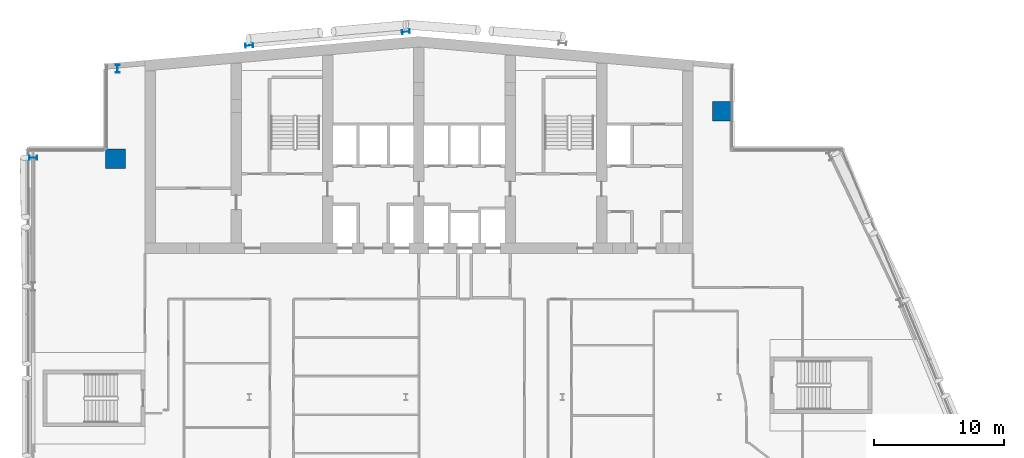
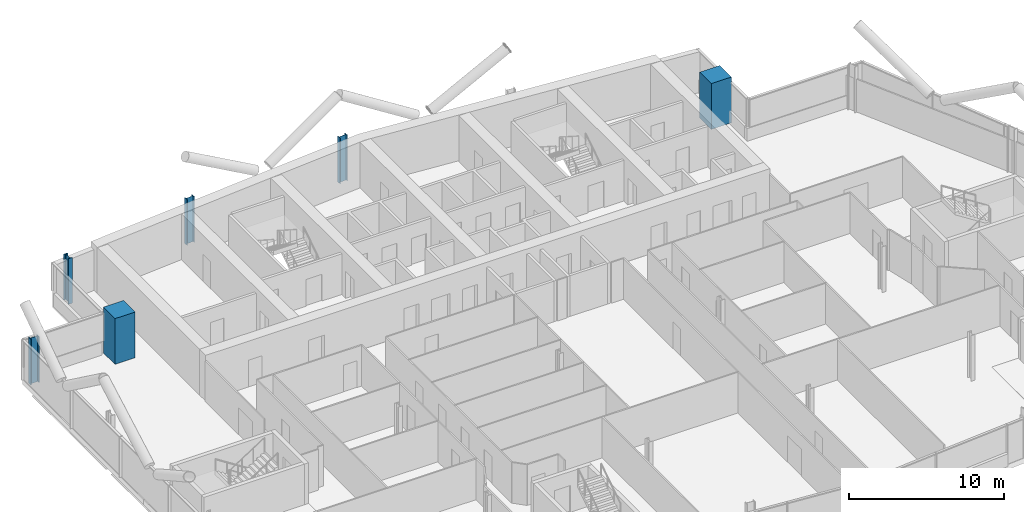
# One storey, part 3 of 26: 6 columns.
"""IFC4 building model written with IfcOpenShell, lengths in metres."""

from ifc_helpers import new_model, si_unit, direction, frame, origin, origin_2d, place, context, subcontext, project, spatial, rectangle, i_section, extrude, material, material_profile, profile_set, type_object, element, save


model = new_model("IFC4")

# Units and contexts
model_context = context("Model", 3, precision=1e-05, world=origin(), true_north=direction((0.0, 1.0)))
body_context = subcontext(model_context, "Body", "Model", "MODEL_VIEW")
ifc_project = project(units=[si_unit("LENGTHUNIT", "METRE"), si_unit("AREAUNIT", "SQUARE_METRE"), si_unit("VOLUMEUNIT", "CUBIC_METRE"), si_unit("PLANEANGLEUNIT", "RADIAN"), si_unit("MASSUNIT", "GRAM", prefix="KILO")], contexts=[model_context])

# Site, building, storey
site_placement = place(None, origin())
site = spatial("IfcSite", under=ifc_project, at=site_placement, CompositionType="ELEMENT")
building_placement = place(site_placement, origin())
building = spatial("IfcBuilding", under=site, at=building_placement, Name="Wharfspan Tower", CompositionType="ELEMENT")
storey_placement = place(building_placement, frame((0.0, 0.0, 166.300049)))
storey = spatial("IfcBuildingStorey", under=building, at=storey_placement, Name="L40", CompositionType="ELEMENT", Elevation=166.300049)

# Columns
ifc_material_1 = material(Name="Steel S355J2", Category="steel")
ifc_material_profile_1 = material_profile(ifc_material_1, i_section(OverallWidth=0.300049, OverallDepth=0.600098, WebThickness=0.015381, FlangeThickness=0.030029, FilletRadius=0.0271, at=origin_2d()))
ifc_profile_set_1 = profile_set([ifc_material_profile_1], Name="Steel S355J2")
column_type_1 = type_object("IfcColumnType", Name="Column HEB 600", PredefinedType="COLUMN", material=ifc_profile_set_1)
for number, where, z_axis, x_axis, name in (
    (1, (24.0, 49.937256, 0.0), (0.0, 0.0, 1.0), (-0.087156, 0.996198, 0.0), "Rear column R.1 L40"),
    (2, (36.0, 50.987061, 0.0), (0.0, 0.0, 1.0), (-0.087156, 0.996198, 0.0), "Rear column R.2 L40"),
):
    element("IfcColumn", number, at=place(storey_placement, frame(where, z_axis=z_axis, x_axis=x_axis)), inside=storey, type_object=column_type_1, Name=name, PredefinedType="COLUMN", context=body_context, shape_type="SweptSolid", body=[
        extrude(i_section(OverallWidth=0.300049, OverallDepth=0.600098, WebThickness=0.015381, FlangeThickness=0.030029, FilletRadius=0.0271, at=origin_2d()), origin(), (0.0, 0.0, 1.0), 3.599854),
    ])
ifc_material_profile_2 = material_profile(ifc_material_1, i_section(OverallWidth=0.304932, OverallDepth=0.620117, WebThickness=0.020996, FlangeThickness=0.040039, FilletRadius=0.0271, at=origin_2d()))
ifc_profile_set_2 = profile_set([ifc_material_profile_2], Name="Steel S355J2")
column_type_2 = type_object("IfcColumnType", Name="Column HEM 600", PredefinedType="COLUMN", material=ifc_profile_set_2)
for number, where, z_axis, x_axis, name in (
    (3, (13.911133, 48.141113, 0.0), (0.0, 0.0, 1.0), (-1.0, 0.0, 0.0), "Perimeter column PNRW-V.1 L40"),
    (4, (7.450439, 41.333008, 0.0), (0.0, 0.0, 1.0), (0.0, 1.0, 0.0), "Perimeter column PNRW-H.1 L40"),
):
    element("IfcColumn", number, at=place(storey_placement, frame(where, z_axis=z_axis, x_axis=x_axis)), inside=storey, type_object=column_type_2, Name=name, PredefinedType="COLUMN", context=body_context, shape_type="SweptSolid", body=[
        extrude(i_section(OverallWidth=0.304932, OverallDepth=0.620117, WebThickness=0.020996, FlangeThickness=0.040039, FilletRadius=0.0271, at=origin_2d()), origin(), (0.0, 0.0, 1.0), 3.599854),
    ])
ifc_material_2 = material(Name="Concrete C60/75", Category="concrete")
ifc_material_profile_3 = material_profile(ifc_material_2, rectangle(XDim=1.5, YDim=1.5, at=origin_2d()))
ifc_profile_set_3 = profile_set([ifc_material_profile_3], Name="Concrete C60/75")
column_type_3 = type_object("IfcColumnType", Name="Mega column 1500 C60/75", PredefinedType="COLUMN", material=ifc_profile_set_3)
for number, where, z_axis, x_axis, name in (
    (5, (13.75, 41.25, 0.0), (0.0, 0.0, 1.0), (1.0, 0.0, 0.0), "Mega column MC2 L40"),
    (6, (60.25, 44.899902, 0.0), (0.0, 0.0, 1.0), (1.0, 0.0, 0.0), "Mega column MC3 L40"),
):
    element("IfcColumn", number, at=place(storey_placement, frame(where, z_axis=z_axis, x_axis=x_axis)), inside=storey, type_object=column_type_3, Name=name, PredefinedType="COLUMN", context=body_context, shape_type="SweptSolid", body=[
        extrude(rectangle(XDim=1.5, YDim=1.5, at=origin_2d()), origin(), (0.0, 0.0, 1.0), 3.599854),
    ])

save(model, "model.ifc")
